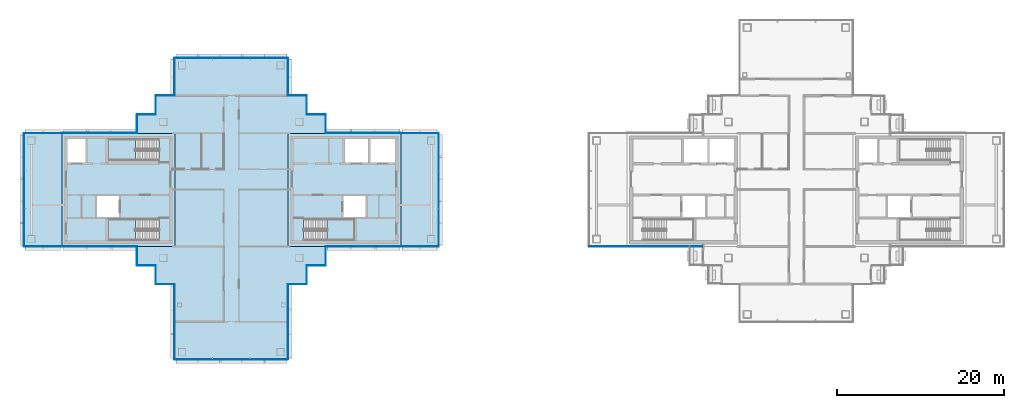
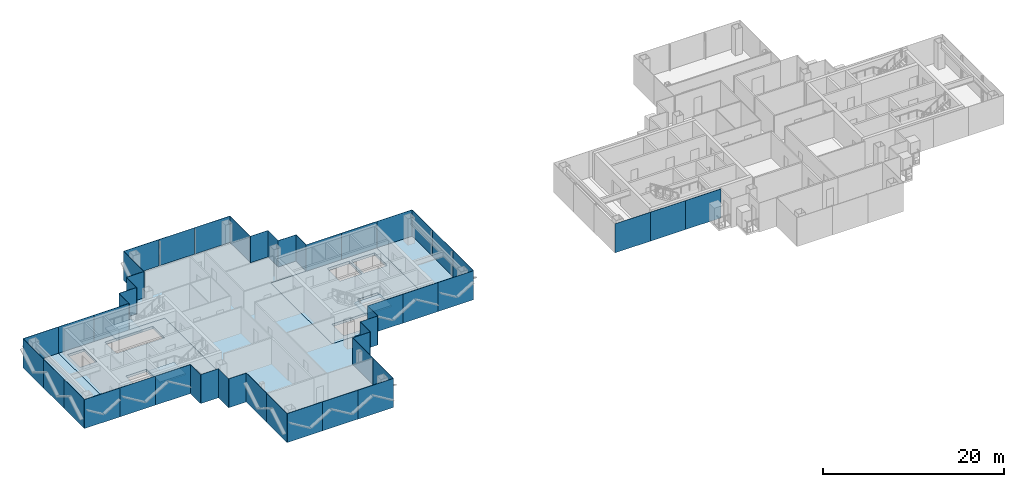
# One storey, part 7 of 17: 49 plates, 8 slabs, 25 elements without a shape of their own.
"""IFC4 building model written with IfcOpenShell, lengths in metres."""

from ifc_helpers import new_model, si_unit, direction, frame, origin, origin_2d, place, context, subcontext, project, spatial, polyline, rectangle, outline, extrude, material, layer, layer_set, type_object, element, aggregate, save


model = new_model("IFC4")

# Units and contexts
model_context = context("Model", 3, precision=1e-05, world=origin(), true_north=direction((0.0, 1.0)))
body_context = subcontext(model_context, "Body", "Model", "MODEL_VIEW")
ifc_project = project(units=[si_unit("LENGTHUNIT", "METRE"), si_unit("AREAUNIT", "SQUARE_METRE"), si_unit("VOLUMEUNIT", "CUBIC_METRE"), si_unit("PLANEANGLEUNIT", "RADIAN"), si_unit("MASSUNIT", "GRAM", prefix="KILO")], contexts=[model_context])

# Site, building, storey
site_placement = place(None, origin())
site = spatial("IfcSite", under=ifc_project, at=site_placement, CompositionType="ELEMENT")
building_placement = place(site_placement, origin())
building = spatial("IfcBuilding", under=site, at=building_placement, Name="Shamsa Quay Exchange Towers", CompositionType="ELEMENT")
storey_placement = place(building_placement, frame((0.0, 0.0, 238.199951171875)))
storey = spatial("IfcBuildingStorey", under=building, at=storey_placement, Name="L57", CompositionType="ELEMENT", Elevation=238.199951171875)

# Slabs
ifc_material_1 = material(Name="Concrete C50/60", Category="concrete")
ifc_layer_1 = layer(ifc_material_1, 0.35009765625)
ifc_layer_set_1 = layer_set([ifc_layer_1], Name="CORE FLOOR 350 C50/60")
slab_type_1 = type_object("IfcSlabType", Name="CORE FLOOR 350 C50/60", PredefinedType="FLOOR", material=ifc_layer_set_1)
slab_1_placement = place(storey_placement, frame((0.0, 0.0, -0.349853515625)))
element("IfcSlab", 1, at=slab_1_placement, inside=storey, type_object=slab_type_1, Name="Core floor T1A", PredefinedType="FLOOR", context=body_context, shape_type="SweptSolid", body=[
    extrude(outline(polyline([(-27.0, -6.75), (-13.5, -6.75), (-13.5, 6.75), (-27.0, 6.75), (-27.0, -6.75)]), holes=[polyline([(-25.099365234375, -6.050048828125), (-25.099365234375, -3.5), (-19.0, -3.5), (-19.0, -6.050048828125), (-25.099365234375, -6.050048828125)]), polyline([(-20.199951171875, 3.25), (-20.199951171875, 6.050048828125), (-17.39990234375, 6.050048828125), (-17.39990234375, 3.25), (-20.199951171875, 3.25)]), polyline([(-17.14990234375, 3.25), (-17.14990234375, 6.050048828125), (-14.199951171875, 6.050048828125), (-14.199951171875, 3.25), (-17.14990234375, 3.25)]), polyline([(-20.35009765625, -3.25), (-20.35009765625, -0.75), (-17.699951171875, -0.75), (-17.699951171875, -3.25), (-20.35009765625, -3.25)])]), origin(), (0.0, 0.0, 1.0), 0.349853515625),
])
slab_2_placement = place(storey_placement, frame((0.0, 0.0, -0.349853515625)))
element("IfcSlab", 2, at=slab_2_placement, inside=storey, type_object=slab_type_1, Name="Core floor T1B", PredefinedType="FLOOR", context=body_context, shape_type="SweptSolid", body=[
    extrude(outline(polyline([(-40.5, -6.75), (-40.5, 6.75), (-54.0, 6.75), (-54.0, -6.75), (-40.5, -6.75)]), holes=[polyline([(-42.400634765625, -3.5), (-42.400634765625, -6.050048828125), (-48.5, -6.050048828125), (-48.5, -3.5), (-42.400634765625, -3.5)]), polyline([(-42.400634765625, 6.050048828125), (-42.400634765625, 3.5), (-48.5, 3.5), (-48.5, 6.050048828125), (-42.400634765625, 6.050048828125)]), polyline([(-51.14990234375, 3.25), (-53.300048828125, 3.25), (-53.300048828125, 6.050048828125), (-51.14990234375, 6.050048828125), (-51.14990234375, 3.25)]), polyline([(-47.14990234375, -3.25), (-49.800048828125, -3.25), (-49.800048828125, -0.75), (-47.14990234375, -0.75), (-47.14990234375, -3.25)])]), origin(), (0.0, 0.0, 1.0), 0.349853515625),
])

# Stair, slab
ifc_material_2 = material(Name="Concrete C40/50", Category="concrete")
stair_type = type_object("IfcStairType", Name="EXIT STAIR 22 RISERS 177 MM", PredefinedType="HALF_TURN_STAIR", material=ifc_material_2)
stair_1_placement = place(storey_placement, origin())
stair_1 = element("IfcStair", 3, at=stair_1_placement, inside=storey, type_object=stair_type, Name="L57 Exit stair ST1", PredefinedType="HALF_TURN_STAIR")
ifc_layer_2 = layer(ifc_material_2, 0.199951171875)
ifc_layer_set_2 = layer_set([ifc_layer_2], Name="CORE STAIR LANDING")
slab_type_2 = type_object("IfcSlabType", Name="CORE STAIR LANDING", PredefinedType="LANDING", material=ifc_layer_set_2)
slab_3_placement = place(storey_placement, frame((0.0, 0.0, 1.75)))
slab_3 = element("IfcSlab", 4, at=slab_3_placement, type_object=slab_type_2, Name="ST1 landing 1", PredefinedType="LANDING", context=body_context, shape_type="SweptSolid", body=[
    extrude(outline(polyline([(-22.300048828125, -6.050048828125), (-19.0, -6.050048828125), (-19.0, -3.5), (-22.300048828125, -3.5), (-22.300048828125, -6.050048828125)])), origin(), (0.0, 0.0, 1.0), 0.199951171875),
])
aggregate(stair_1, [slab_3])

stair_2_placement = place(storey_placement, origin())
stair_2 = element("IfcStair", 5, at=stair_2_placement, inside=storey, type_object=stair_type, Name="L57 Exit stair ST2", PredefinedType="HALF_TURN_STAIR")
slab_4_placement = place(storey_placement, frame((0.0, 0.0, 1.75)))
slab_4 = element("IfcSlab", 6, at=slab_4_placement, type_object=slab_type_2, Name="ST2 landing 1", PredefinedType="LANDING", context=body_context, shape_type="SweptSolid", body=[
    extrude(outline(polyline([(-45.199951171875, -3.5), (-48.5, -3.5), (-48.5, -6.050048828125), (-45.199951171875, -6.050048828125), (-45.199951171875, -3.5)])), origin(), (0.0, 0.0, 1.0), 0.199951171875),
])
aggregate(stair_2, [slab_4])

stair_3_placement = place(storey_placement, origin())
stair_3 = element("IfcStair", 7, at=stair_3_placement, inside=storey, type_object=stair_type, Name="L57 Exit stair ST3", PredefinedType="HALF_TURN_STAIR")
slab_5_placement = place(storey_placement, frame((0.0, 0.0, 1.75)))
slab_5 = element("IfcSlab", 8, at=slab_5_placement, type_object=slab_type_2, Name="ST3 landing 1", PredefinedType="LANDING", context=body_context, shape_type="SweptSolid", body=[
    extrude(outline(polyline([(-45.199951171875, 6.050048828125), (-48.5, 6.050048828125), (-48.5, 3.5), (-45.199951171875, 3.5), (-45.199951171875, 6.050048828125)])), origin(), (0.0, 0.0, 1.0), 0.199951171875),
])
aggregate(stair_3, [slab_5])

# Curtain wall, plates
ifc_material_3 = material(Name="Aluminium EN AW-6063 T6, black anodised", Category="aluminium")
ifc_layer_3 = layer(ifc_material_3, 0.280029296875)
ifc_layer_set_3 = layer_set([ifc_layer_3], Name="CW-1 UNITISED VISION GLASS")
curtain_wall_type_1 = type_object("IfcCurtainWallType", Name="CW-1 UNITISED VISION GLASS", PredefinedType="NOTDEFINED", material=ifc_layer_set_3)
curtain_wall_1_placement = place(storey_placement, origin())
curtain_wall_1 = element("IfcCurtainWall", 9, at=curtain_wall_1_placement, inside=storey, type_object=curtain_wall_type_1, Name="CW1 T1-FLK-V-W L57", PredefinedType="NOTDEFINED")
ifc_material_4 = material(Name="Glass, laminated, dark tinted", Category="glass")
ifc_layer_4 = layer(ifc_material_4, 0.0400390625)
ifc_layer_set_4 = layer_set([ifc_layer_4], Name="CW-1 VISION GLASS 40")
plate_type_1 = type_object("IfcPlateType", Name="CW-1 VISION GLASS 40", PredefinedType="CURTAIN_PANEL", material=ifc_layer_set_4)
plate_1_placement = place(storey_placement, frame((-40.52001953125, -13.52587890625, -0.349853515625), z_axis=(0.0, 0.0, 1.0), x_axis=(0.0, -1.0, 0.0)))
plate_1 = element("IfcPlate", 10, at=plate_1_placement, type_object=plate_type_1, Name="CW1 glass panel", PredefinedType="CURTAIN_PANEL", context=body_context, shape_type="SweptSolid", body=[
    extrude(rectangle(XDim=4.47607421875, YDim=0.0400390625, at=origin_2d()), origin(), (0.0, 0.0, 1.0), 3.89990234375),
])
plate_2_placement = place(storey_placement, frame((-40.52001953125, -18.011962890625, -0.349853515625), z_axis=(0.0, 0.0, 1.0), x_axis=(0.0, -1.0, 0.0)))
plate_2 = element("IfcPlate", 11, at=plate_2_placement, type_object=plate_type_1, Name="CW1 glass panel", PredefinedType="CURTAIN_PANEL", context=body_context, shape_type="SweptSolid", body=[
    extrude(rectangle(XDim=4.47607421875, YDim=0.0400390625, at=origin_2d()), origin(), (0.0, 0.0, 1.0), 3.89990234375),
])
aggregate(curtain_wall_1, [plate_1, plate_2])

curtain_wall_2_placement = place(storey_placement, origin())
curtain_wall_2 = element("IfcCurtainWall", 12, at=curtain_wall_2_placement, inside=storey, type_object=curtain_wall_type_1, Name="CW1 T1-END-V- L57", PredefinedType="NOTDEFINED")
plate_3_placement = place(storey_placement, frame((-38.25244140625, -20.27001953125, -0.349853515625)))
plate_3 = element("IfcPlate", 13, at=plate_3_placement, type_object=plate_type_1, Name="CW1 glass panel", PredefinedType="CURTAIN_PANEL", context=body_context, shape_type="SweptSolid", body=[
    extrude(rectangle(XDim=4.4951171875, YDim=0.0400390625, at=origin_2d()), origin(), (0.0, 0.0, 1.0), 3.89990234375),
])
plate_4_placement = place(storey_placement, frame((-33.75, -20.27001953125, -0.349853515625)))
plate_4 = element("IfcPlate", 14, at=plate_4_placement, type_object=plate_type_1, Name="CW1 glass panel", PredefinedType="CURTAIN_PANEL", context=body_context, shape_type="SweptSolid", body=[
    extrude(rectangle(XDim=4.489990234375, YDim=0.0400390625, at=origin_2d()), origin(), (0.0, 0.0, 1.0), 3.89990234375),
])
plate_5_placement = place(storey_placement, frame((-29.24755859375, -20.27001953125, -0.349853515625)))
plate_5 = element("IfcPlate", 15, at=plate_5_placement, type_object=plate_type_1, Name="CW1 glass panel", PredefinedType="CURTAIN_PANEL", context=body_context, shape_type="SweptSolid", body=[
    extrude(rectangle(XDim=4.4951171875, YDim=0.0400390625, at=origin_2d()), origin(), (0.0, 0.0, 1.0), 3.89990234375),
])
aggregate(curtain_wall_2, [plate_3, plate_4, plate_5])

curtain_wall_3_placement = place(storey_placement, origin())
curtain_wall_3 = element("IfcCurtainWall", 16, at=curtain_wall_3_placement, inside=storey, type_object=curtain_wall_type_1, Name="CW1 T1-FLK-V-E L57", PredefinedType="NOTDEFINED")
plate_6_placement = place(storey_placement, frame((-26.97998046875, -18.00244140625, -0.349853515625), z_axis=(0.0, 0.0, 1.0), x_axis=(0.0, 1.0, 0.0)))
plate_6 = element("IfcPlate", 17, at=plate_6_placement, type_object=plate_type_1, Name="CW1 glass panel", PredefinedType="CURTAIN_PANEL", context=body_context, shape_type="SweptSolid", body=[
    extrude(rectangle(XDim=4.4951171875, YDim=0.0400390625, at=origin_2d()), origin(), (0.0, 0.0, 1.0), 3.89990234375),
])
plate_7_placement = place(storey_placement, frame((-26.97998046875, -13.49755859375, -0.349853515625), z_axis=(0.0, 0.0, 1.0), x_axis=(0.0, 1.0, 0.0)))
plate_7 = element("IfcPlate", 18, at=plate_7_placement, type_object=plate_type_1, Name="CW1 glass panel", PredefinedType="CURTAIN_PANEL", context=body_context, shape_type="SweptSolid", body=[
    extrude(rectangle(XDim=4.4951171875, YDim=0.0400390625, at=origin_2d()), origin(), (0.0, 0.0, 1.0), 3.89990234375),
])
aggregate(curtain_wall_3, [plate_6, plate_7])

# Curtain wall, plate
curtain_wall_4_placement = place(storey_placement, origin())
curtain_wall_4 = element("IfcCurtainWall", 19, at=curtain_wall_4_placement, inside=storey, type_object=curtain_wall_type_1, Name="CW1 T1-FLK-U+S L57", PredefinedType="NOTDEFINED")
plate_8_placement = place(storey_placement, frame((-11.25, -6.77001953125, -0.349853515625)))
plate_8 = element("IfcPlate", 20, at=plate_8_placement, type_object=plate_type_1, Name="CW1 glass panel", PredefinedType="CURTAIN_PANEL", context=body_context, shape_type="SweptSolid", body=[
    extrude(rectangle(XDim=4.5, YDim=0.0400390625, at=origin_2d()), origin(), (0.0, 0.0, 1.0), 3.89990234375),
])
aggregate(curtain_wall_4, [plate_8])

# Curtain wall, plates
curtain_wall_5_placement = place(storey_placement, origin())
curtain_wall_5 = element("IfcCurtainWall", 21, at=curtain_wall_5_placement, inside=storey, type_object=curtain_wall_type_1, Name="CW1 T1-END-U+ L57", PredefinedType="NOTDEFINED")
plate_9_placement = place(storey_placement, frame((-8.97998046875, -4.50244140625, -0.349853515625), z_axis=(0.0, 0.0, 1.0), x_axis=(0.0, 1.0, 0.0)))
plate_9 = element("IfcPlate", 22, at=plate_9_placement, type_object=plate_type_1, Name="CW1 glass panel", PredefinedType="CURTAIN_PANEL", context=body_context, shape_type="SweptSolid", body=[
    extrude(rectangle(XDim=4.4951171875, YDim=0.0400390625, at=origin_2d()), origin(), (0.0, 0.0, 1.0), 3.89990234375),
])
plate_10_placement = place(storey_placement, frame((-8.97998046875, 0.0, -0.349853515625), z_axis=(0.0, 0.0, 1.0), x_axis=(0.0, 1.0, 0.0)))
plate_10 = element("IfcPlate", 23, at=plate_10_placement, type_object=plate_type_1, Name="CW1 glass panel", PredefinedType="CURTAIN_PANEL", context=body_context, shape_type="SweptSolid", body=[
    extrude(rectangle(XDim=4.489990234375, YDim=0.0400390625, at=origin_2d()), origin(), (0.0, 0.0, 1.0), 3.89990234375),
])
plate_11_placement = place(storey_placement, frame((-8.97998046875, 4.50244140625, -0.349853515625), z_axis=(0.0, 0.0, 1.0), x_axis=(0.0, 1.0, 0.0)))
plate_11 = element("IfcPlate", 24, at=plate_11_placement, type_object=plate_type_1, Name="CW1 glass panel", PredefinedType="CURTAIN_PANEL", context=body_context, shape_type="SweptSolid", body=[
    extrude(rectangle(XDim=4.4951171875, YDim=0.0400390625, at=origin_2d()), origin(), (0.0, 0.0, 1.0), 3.89990234375),
])
aggregate(curtain_wall_5, [plate_9, plate_10, plate_11])

# Curtain wall, plate
curtain_wall_6_placement = place(storey_placement, origin())
curtain_wall_6 = element("IfcCurtainWall", 25, at=curtain_wall_6_placement, inside=storey, type_object=curtain_wall_type_1, Name="CW1 T1-FLK-U+N L57", PredefinedType="NOTDEFINED")
plate_12_placement = place(storey_placement, frame((-11.25, 6.77001953125, -0.349853515625), z_axis=(0.0, 0.0, 1.0), x_axis=(-1.0, 0.0, 0.0)))
plate_12 = element("IfcPlate", 26, at=plate_12_placement, type_object=plate_type_1, Name="CW1 glass panel", PredefinedType="CURTAIN_PANEL", context=body_context, shape_type="SweptSolid", body=[
    extrude(rectangle(XDim=4.5, YDim=0.0400390625, at=origin_2d()), origin(), (0.0, 0.0, 1.0), 3.89990234375),
])
aggregate(curtain_wall_6, [plate_12])

curtain_wall_7_placement = place(storey_placement, origin())
curtain_wall_7 = element("IfcCurtainWall", 27, at=curtain_wall_7_placement, inside=storey, type_object=curtain_wall_type_1, Name="CW1 T1-FLK-V+E L57", PredefinedType="NOTDEFINED")
plate_13_placement = place(storey_placement, frame((-26.97998046875, 13.51904296875, -0.349853515625), z_axis=(0.0, 0.0, 1.0), x_axis=(0.0, 1.0, 0.0)))
plate_13 = element("IfcPlate", 28, at=plate_13_placement, type_object=plate_type_1, Name="CW1 glass panel", PredefinedType="CURTAIN_PANEL", context=body_context, shape_type="SweptSolid", body=[
    extrude(rectangle(XDim=4.4619140625, YDim=0.0400390625, at=origin_2d()), origin(), (0.0, 0.0, 1.0), 3.89990234375),
])
aggregate(curtain_wall_7, [plate_13])

# Curtain wall, plates
curtain_wall_8_placement = place(storey_placement, origin())
curtain_wall_8 = element("IfcCurtainWall", 29, at=curtain_wall_8_placement, inside=storey, type_object=curtain_wall_type_1, Name="CW1 T1-END-V+ L57", PredefinedType="NOTDEFINED")
plate_14_placement = place(storey_placement, frame((-29.24755859375, 15.77001953125, -0.349853515625), z_axis=(0.0, 0.0, 1.0), x_axis=(-1.0, 0.0, 0.0)))
plate_14 = element("IfcPlate", 30, at=plate_14_placement, type_object=plate_type_1, Name="CW1 glass panel", PredefinedType="CURTAIN_PANEL", context=body_context, shape_type="SweptSolid", body=[
    extrude(rectangle(XDim=4.4951171875, YDim=0.0400390625, at=origin_2d()), origin(), (0.0, 0.0, 1.0), 3.89990234375),
])
plate_15_placement = place(storey_placement, frame((-33.75, 15.77001953125, -0.349853515625), z_axis=(0.0, 0.0, 1.0), x_axis=(-1.0, 0.0, 0.0)))
plate_15 = element("IfcPlate", 31, at=plate_15_placement, type_object=plate_type_1, Name="CW1 glass panel", PredefinedType="CURTAIN_PANEL", context=body_context, shape_type="SweptSolid", body=[
    extrude(rectangle(XDim=4.489990234375, YDim=0.0400390625, at=origin_2d()), origin(), (0.0, 0.0, 1.0), 3.89990234375),
])
plate_16_placement = place(storey_placement, frame((-38.25244140625, 15.77001953125, -0.349853515625), z_axis=(0.0, 0.0, 1.0), x_axis=(-1.0, 0.0, 0.0)))
plate_16 = element("IfcPlate", 32, at=plate_16_placement, type_object=plate_type_1, Name="CW1 glass panel", PredefinedType="CURTAIN_PANEL", context=body_context, shape_type="SweptSolid", body=[
    extrude(rectangle(XDim=4.4951171875, YDim=0.0400390625, at=origin_2d()), origin(), (0.0, 0.0, 1.0), 3.89990234375),
])
aggregate(curtain_wall_8, [plate_14, plate_15, plate_16])

# Curtain wall, plate
curtain_wall_9_placement = place(storey_placement, origin())
curtain_wall_9 = element("IfcCurtainWall", 33, at=curtain_wall_9_placement, inside=storey, type_object=curtain_wall_type_1, Name="CW1 T1-FLK-V+W L57", PredefinedType="NOTDEFINED")
plate_17_placement = place(storey_placement, frame((-40.52001953125, 13.5, -0.349853515625), z_axis=(0.0, 0.0, 1.0), x_axis=(0.0, -1.0, 0.0)))
plate_17 = element("IfcPlate", 34, at=plate_17_placement, type_object=plate_type_1, Name="CW1 glass panel", PredefinedType="CURTAIN_PANEL", context=body_context, shape_type="SweptSolid", body=[
    extrude(rectangle(XDim=4.5, YDim=0.0400390625, at=origin_2d()), origin(), (0.0, 0.0, 1.0), 3.89990234375),
])
aggregate(curtain_wall_9, [plate_17])

curtain_wall_10_placement = place(storey_placement, origin())
curtain_wall_10 = element("IfcCurtainWall", 35, at=curtain_wall_10_placement, inside=storey, type_object=curtain_wall_type_1, Name="CW1 T1-FLK-U-N L57", PredefinedType="NOTDEFINED")
plate_18_placement = place(storey_placement, frame((-56.25, 6.77001953125, -0.349853515625), z_axis=(0.0, 0.0, 1.0), x_axis=(-1.0, 0.0, 0.0)))
plate_18 = element("IfcPlate", 36, at=plate_18_placement, type_object=plate_type_1, Name="CW1 glass panel", PredefinedType="CURTAIN_PANEL", context=body_context, shape_type="SweptSolid", body=[
    extrude(rectangle(XDim=4.5, YDim=0.0400390625, at=origin_2d()), origin(), (0.0, 0.0, 1.0), 3.89990234375),
])
aggregate(curtain_wall_10, [plate_18])

# Curtain wall, plates
curtain_wall_11_placement = place(storey_placement, origin())
curtain_wall_11 = element("IfcCurtainWall", 37, at=curtain_wall_11_placement, inside=storey, type_object=curtain_wall_type_1, Name="CW1 T1-END-U- L57", PredefinedType="NOTDEFINED")
plate_19_placement = place(storey_placement, frame((-58.52001953125, 4.50244140625, -0.349853515625), z_axis=(0.0, 0.0, 1.0), x_axis=(0.0, -1.0, 0.0)))
plate_19 = element("IfcPlate", 38, at=plate_19_placement, type_object=plate_type_1, Name="CW1 glass panel", PredefinedType="CURTAIN_PANEL", context=body_context, shape_type="SweptSolid", body=[
    extrude(rectangle(XDim=4.4951171875, YDim=0.0400390625, at=origin_2d()), origin(), (0.0, 0.0, 1.0), 3.89990234375),
])
plate_20_placement = place(storey_placement, frame((-58.52001953125, 0.0, -0.349853515625), z_axis=(0.0, 0.0, 1.0), x_axis=(0.0, -1.0, 0.0)))
plate_20 = element("IfcPlate", 39, at=plate_20_placement, type_object=plate_type_1, Name="CW1 glass panel", PredefinedType="CURTAIN_PANEL", context=body_context, shape_type="SweptSolid", body=[
    extrude(rectangle(XDim=4.489990234375, YDim=0.0400390625, at=origin_2d()), origin(), (0.0, 0.0, 1.0), 3.89990234375),
])
plate_21_placement = place(storey_placement, frame((-58.52001953125, -4.50244140625, -0.349853515625), z_axis=(0.0, 0.0, 1.0), x_axis=(0.0, -1.0, 0.0)))
plate_21 = element("IfcPlate", 40, at=plate_21_placement, type_object=plate_type_1, Name="CW1 glass panel", PredefinedType="CURTAIN_PANEL", context=body_context, shape_type="SweptSolid", body=[
    extrude(rectangle(XDim=4.4951171875, YDim=0.0400390625, at=origin_2d()), origin(), (0.0, 0.0, 1.0), 3.89990234375),
])
aggregate(curtain_wall_11, [plate_19, plate_20, plate_21])

# Curtain wall, plate
curtain_wall_12_placement = place(storey_placement, origin())
curtain_wall_12 = element("IfcCurtainWall", 41, at=curtain_wall_12_placement, inside=storey, type_object=curtain_wall_type_1, Name="CW1 T1-FLK-U-S L57", PredefinedType="NOTDEFINED")
plate_22_placement = place(storey_placement, frame((-56.25, -6.77001953125, -0.349853515625)))
plate_22 = element("IfcPlate", 42, at=plate_22_placement, type_object=plate_type_1, Name="CW1 glass panel", PredefinedType="CURTAIN_PANEL", context=body_context, shape_type="SweptSolid", body=[
    extrude(rectangle(XDim=4.5, YDim=0.0400390625, at=origin_2d()), origin(), (0.0, 0.0, 1.0), 3.89990234375),
])
aggregate(curtain_wall_12, [plate_22])

curtain_wall_13_placement = place(storey_placement, origin())
curtain_wall_13 = element("IfcCurtainWall", 43, at=curtain_wall_13_placement, inside=storey, type_object=curtain_wall_type_1, Name="CW1 T2-FLK-V+W L57", PredefinedType="NOTDEFINED")
plate_23_placement = place(storey_placement, frame((11.25, -6.77001953125, -0.349853515625)))
plate_23 = element("IfcPlate", 44, at=plate_23_placement, type_object=plate_type_1, Name="CW1 glass panel", PredefinedType="CURTAIN_PANEL", context=body_context, shape_type="SweptSolid", body=[
    extrude(rectangle(XDim=4.5, YDim=0.0400390625, at=origin_2d()), origin(), (0.0, 0.0, 1.0), 3.89990234375),
])
aggregate(curtain_wall_13, [plate_23])

# Curtain wall, plates
ifc_layer_5 = layer(ifc_material_3, 0.303955078125)
ifc_layer_set_5 = layer_set([ifc_layer_5], Name="CW-2 UNITISED OPAQUE SPANDREL GLASS")
curtain_wall_type_2 = type_object("IfcCurtainWallType", Name="CW-2 UNITISED OPAQUE SPANDREL GLASS", PredefinedType="NOTDEFINED", material=ifc_layer_set_5)
curtain_wall_14_placement = place(storey_placement, origin())
curtain_wall_14 = element("IfcCurtainWall", 45, at=curtain_wall_14_placement, inside=storey, type_object=curtain_wall_type_2, Name="CW2 T1-FLK-U+S L57", PredefinedType="NOTDEFINED")
ifc_material_5 = material(Name="Glass, laminated, black enamelled opaque", Category="glass")
ifc_layer_6 = layer(ifc_material_5, 0.0439453125)
ifc_layer_set_6 = layer_set([ifc_layer_6], Name="CW-2 SPANDREL GLASS 44")
plate_type_2 = type_object("IfcPlateType", Name="CW-2 SPANDREL GLASS 44", PredefinedType="CURTAIN_PANEL", material=ifc_layer_set_6)
plate_24_placement = place(storey_placement, frame((-20.22412109375, -6.77197265625, -0.349853515625)))
plate_24 = element("IfcPlate", 46, at=plate_24_placement, type_object=plate_type_2, Name="CW2 glass panel", PredefinedType="CURTAIN_PANEL", context=body_context, shape_type="SweptSolid", body=[
    extrude(rectangle(XDim=4.47607421875, YDim=0.0439453125, at=origin_2d()), origin(), (0.0, 0.0, 1.0), 3.89990234375),
])
plate_25_placement = place(storey_placement, frame((-15.738037109375, -6.77197265625, -0.349853515625)))
plate_25 = element("IfcPlate", 47, at=plate_25_placement, type_object=plate_type_2, Name="CW2 glass panel", PredefinedType="CURTAIN_PANEL", context=body_context, shape_type="SweptSolid", body=[
    extrude(rectangle(XDim=4.47607421875, YDim=0.0439453125, at=origin_2d()), origin(), (0.0, 0.0, 1.0), 3.89990234375),
])
aggregate(curtain_wall_14, [plate_24, plate_25])

curtain_wall_15_placement = place(storey_placement, origin())
curtain_wall_15 = element("IfcCurtainWall", 48, at=curtain_wall_15_placement, inside=storey, type_object=curtain_wall_type_2, Name="CW2 T1-FLK-U+N L57", PredefinedType="NOTDEFINED")
plate_26_placement = place(storey_placement, frame((-15.74755859375, 6.77197265625, -0.349853515625), z_axis=(0.0, 0.0, 1.0), x_axis=(-1.0, 0.0, 0.0)))
plate_26 = element("IfcPlate", 49, at=plate_26_placement, type_object=plate_type_2, Name="CW2 glass panel", PredefinedType="CURTAIN_PANEL", context=body_context, shape_type="SweptSolid", body=[
    extrude(rectangle(XDim=4.4951171875, YDim=0.0439453125, at=origin_2d()), origin(), (0.0, 0.0, 1.0), 3.89990234375),
])
plate_27_placement = place(storey_placement, frame((-20.25244140625, 6.77197265625, -0.349853515625), z_axis=(0.0, 0.0, 1.0), x_axis=(-1.0, 0.0, 0.0)))
plate_27 = element("IfcPlate", 50, at=plate_27_placement, type_object=plate_type_2, Name="CW2 glass panel", PredefinedType="CURTAIN_PANEL", context=body_context, shape_type="SweptSolid", body=[
    extrude(rectangle(XDim=4.4951171875, YDim=0.0439453125, at=origin_2d()), origin(), (0.0, 0.0, 1.0), 3.89990234375),
])
aggregate(curtain_wall_15, [plate_26, plate_27])

curtain_wall_16_placement = place(storey_placement, origin())
curtain_wall_16 = element("IfcCurtainWall", 51, at=curtain_wall_16_placement, inside=storey, type_object=curtain_wall_type_2, Name="CW2 T1-FLK-U-N L57", PredefinedType="NOTDEFINED")
plate_28_placement = place(storey_placement, frame((-47.27587890625, 6.77197265625, -0.349853515625), z_axis=(0.0, 0.0, 1.0), x_axis=(-1.0, 0.0, 0.0)))
plate_28 = element("IfcPlate", 52, at=plate_28_placement, type_object=plate_type_2, Name="CW2 glass panel", PredefinedType="CURTAIN_PANEL", context=body_context, shape_type="SweptSolid", body=[
    extrude(rectangle(XDim=4.47607421875, YDim=0.0439453125, at=origin_2d()), origin(), (0.0, 0.0, 1.0), 3.89990234375),
])
plate_29_placement = place(storey_placement, frame((-51.761962890625, 6.77197265625, -0.349853515625), z_axis=(0.0, 0.0, 1.0), x_axis=(-1.0, 0.0, 0.0)))
plate_29 = element("IfcPlate", 53, at=plate_29_placement, type_object=plate_type_2, Name="CW2 glass panel", PredefinedType="CURTAIN_PANEL", context=body_context, shape_type="SweptSolid", body=[
    extrude(rectangle(XDim=4.47607421875, YDim=0.0439453125, at=origin_2d()), origin(), (0.0, 0.0, 1.0), 3.89990234375),
])
aggregate(curtain_wall_16, [plate_28, plate_29])

curtain_wall_17_placement = place(storey_placement, origin())
curtain_wall_17 = element("IfcCurtainWall", 54, at=curtain_wall_17_placement, inside=storey, type_object=curtain_wall_type_2, Name="CW2 T1-FLK-U-S L57", PredefinedType="NOTDEFINED")
plate_30_placement = place(storey_placement, frame((-51.75244140625, -6.77197265625, -0.349853515625)))
plate_30 = element("IfcPlate", 55, at=plate_30_placement, type_object=plate_type_2, Name="CW2 glass panel", PredefinedType="CURTAIN_PANEL", context=body_context, shape_type="SweptSolid", body=[
    extrude(rectangle(XDim=4.4951171875, YDim=0.0439453125, at=origin_2d()), origin(), (0.0, 0.0, 1.0), 3.89990234375),
])
plate_31_placement = place(storey_placement, frame((-47.24755859375, -6.77197265625, -0.349853515625)))
plate_31 = element("IfcPlate", 56, at=plate_31_placement, type_object=plate_type_2, Name="CW2 glass panel", PredefinedType="CURTAIN_PANEL", context=body_context, shape_type="SweptSolid", body=[
    extrude(rectangle(XDim=4.4951171875, YDim=0.0439453125, at=origin_2d()), origin(), (0.0, 0.0, 1.0), 3.89990234375),
])
aggregate(curtain_wall_17, [plate_30, plate_31])

curtain_wall_18_placement = place(storey_placement, origin())
curtain_wall_18 = element("IfcCurtainWall", 57, at=curtain_wall_18_placement, inside=storey, type_object=curtain_wall_type_2, Name="CW2 T2-FLK-V+W L57", PredefinedType="NOTDEFINED")
plate_32_placement = place(storey_placement, frame((15.74755859375, -6.77197265625, -0.349853515625)))
plate_32 = element("IfcPlate", 58, at=plate_32_placement, type_object=plate_type_2, Name="CW2 glass panel", PredefinedType="CURTAIN_PANEL", context=body_context, shape_type="SweptSolid", body=[
    extrude(rectangle(XDim=4.4951171875, YDim=0.0439453125, at=origin_2d()), origin(), (0.0, 0.0, 1.0), 3.89990234375),
])
plate_33_placement = place(storey_placement, frame((20.25244140625, -6.77197265625, -0.349853515625)))
plate_33 = element("IfcPlate", 59, at=plate_33_placement, type_object=plate_type_2, Name="CW2 glass panel", PredefinedType="CURTAIN_PANEL", context=body_context, shape_type="SweptSolid", body=[
    extrude(rectangle(XDim=4.4951171875, YDim=0.0439453125, at=origin_2d()), origin(), (0.0, 0.0, 1.0), 3.89990234375),
])
aggregate(curtain_wall_18, [plate_32, plate_33])

ifc_layer_7 = layer(ifc_material_3, 0.256103515625)
ifc_layer_set_7 = layer_set([ifc_layer_7], Name="CW-4 POCKET SERRATED GLAZING")
curtain_wall_type_3 = type_object("IfcCurtainWallType", Name="CW-4 POCKET SERRATED GLAZING", PredefinedType="NOTDEFINED", material=ifc_layer_set_7)
curtain_wall_19_placement = place(storey_placement, origin())
curtain_wall_19 = element("IfcCurtainWall", 60, at=curtain_wall_19_placement, inside=storey, type_object=curtain_wall_type_3, Name="CW4 PKWS L57", PredefinedType="NOTDEFINED")
ifc_layer_8 = layer(ifc_material_4, 0.035888671875)
ifc_layer_set_8 = layer_set([ifc_layer_8], Name="CW-4 POCKET GLASS 36")
plate_type_3 = type_object("IfcPlateType", Name="CW-4 POCKET GLASS 36", PredefinedType="CURTAIN_PANEL", material=ifc_layer_set_8)
plate_34_placement = place(storey_placement, frame((-42.76806640625, -10.14404296875, -0.349853515625), z_axis=(0.0, 0.0, 1.0), x_axis=(0.0, -1.0, 0.0)))
plate_34 = element("IfcPlate", 61, at=plate_34_placement, type_object=plate_type_3, Name="CW4 glass panel", PredefinedType="CURTAIN_PANEL", context=body_context, shape_type="SweptSolid", body=[
    extrude(rectangle(XDim=2.2119140625, YDim=0.035888671875, at=origin_2d()), origin(), (0.0, 0.0, 1.0), 3.89990234375),
])
plate_35_placement = place(storey_placement, frame((-41.625, -11.26806640625, -0.349853515625)))
plate_35 = element("IfcPlate", 62, at=plate_35_placement, type_object=plate_type_3, Name="CW4 glass panel", PredefinedType="CURTAIN_PANEL", context=body_context, shape_type="SweptSolid", body=[
    extrude(rectangle(XDim=2.25, YDim=0.035888671875, at=origin_2d()), origin(), (0.0, 0.0, 1.0), 3.89990234375),
])
plate_36_placement = place(storey_placement, frame((-45.01806640625, -7.89794921875, -0.349853515625), z_axis=(0.0, 0.0, 1.0), x_axis=(0.0, -1.0, 0.0)))
plate_36 = element("IfcPlate", 63, at=plate_36_placement, type_object=plate_type_3, Name="CW4 glass panel", PredefinedType="CURTAIN_PANEL", context=body_context, shape_type="SweptSolid", body=[
    extrude(rectangle(XDim=2.2041015625, YDim=0.035888671875, at=origin_2d()), origin(), (0.0, 0.0, 1.0), 3.89990234375),
])
plate_37_placement = place(storey_placement, frame((-43.875, -9.01806640625, -0.349853515625)))
plate_37 = element("IfcPlate", 64, at=plate_37_placement, type_object=plate_type_3, Name="CW4 glass panel", PredefinedType="CURTAIN_PANEL", context=body_context, shape_type="SweptSolid", body=[
    extrude(rectangle(XDim=2.25, YDim=0.035888671875, at=origin_2d()), origin(), (0.0, 0.0, 1.0), 3.89990234375),
])
aggregate(curtain_wall_19, [plate_34, plate_35, plate_36, plate_37])

curtain_wall_20_placement = place(storey_placement, origin())
curtain_wall_20 = element("IfcCurtainWall", 65, at=curtain_wall_20_placement, inside=storey, type_object=curtain_wall_type_3, Name="CW4 PKES L57", PredefinedType="NOTDEFINED")
plate_38_placement = place(storey_placement, frame((-25.85400390625, -11.26806640625, -0.349853515625)))
plate_38 = element("IfcPlate", 66, at=plate_38_placement, type_object=plate_type_3, Name="CW4 glass panel", PredefinedType="CURTAIN_PANEL", context=body_context, shape_type="SweptSolid", body=[
    extrude(rectangle(XDim=2.2080078125, YDim=0.035888671875, at=origin_2d()), origin(), (0.0, 0.0, 1.0), 3.89990234375),
])
plate_39_placement = place(storey_placement, frame((-24.73193359375, -10.125, -0.349853515625), z_axis=(0.0, 0.0, 1.0), x_axis=(0.0, 1.0, 0.0)))
plate_39 = element("IfcPlate", 67, at=plate_39_placement, type_object=plate_type_3, Name="CW4 glass panel", PredefinedType="CURTAIN_PANEL", context=body_context, shape_type="SweptSolid", body=[
    extrude(rectangle(XDim=2.25, YDim=0.035888671875, at=origin_2d()), origin(), (0.0, 0.0, 1.0), 3.89990234375),
])
plate_40_placement = place(storey_placement, frame((-23.60595703125, -9.01806640625, -0.349853515625)))
plate_40 = element("IfcPlate", 68, at=plate_40_placement, type_object=plate_type_3, Name="CW4 glass panel", PredefinedType="CURTAIN_PANEL", context=body_context, shape_type="SweptSolid", body=[
    extrude(rectangle(XDim=2.2119140625, YDim=0.035888671875, at=origin_2d()), origin(), (0.0, 0.0, 1.0), 3.89990234375),
])
plate_41_placement = place(storey_placement, frame((-22.48193359375, -7.875, -0.349853515625), z_axis=(0.0, 0.0, 1.0), x_axis=(0.0, 1.0, 0.0)))
plate_41 = element("IfcPlate", 69, at=plate_41_placement, type_object=plate_type_3, Name="CW4 glass panel", PredefinedType="CURTAIN_PANEL", context=body_context, shape_type="SweptSolid", body=[
    extrude(rectangle(XDim=2.25, YDim=0.035888671875, at=origin_2d()), origin(), (0.0, 0.0, 1.0), 3.89990234375),
])
aggregate(curtain_wall_20, [plate_38, plate_39, plate_40, plate_41])

curtain_wall_21_placement = place(storey_placement, origin())
curtain_wall_21 = element("IfcCurtainWall", 70, at=curtain_wall_21_placement, inside=storey, type_object=curtain_wall_type_3, Name="CW4 PKEN L57", PredefinedType="NOTDEFINED")
plate_42_placement = place(storey_placement, frame((-22.48193359375, 7.89794921875, -0.349853515625), z_axis=(0.0, 0.0, 1.0), x_axis=(0.0, 1.0, 0.0)))
plate_42 = element("IfcPlate", 71, at=plate_42_placement, type_object=plate_type_3, Name="CW4 glass panel", PredefinedType="CURTAIN_PANEL", context=body_context, shape_type="SweptSolid", body=[
    extrude(rectangle(XDim=2.2041015625, YDim=0.035888671875, at=origin_2d()), origin(), (0.0, 0.0, 1.0), 3.89990234375),
])
plate_43_placement = place(storey_placement, frame((-23.625, 9.01806640625, -0.349853515625), z_axis=(0.0, 0.0, 1.0), x_axis=(-1.0, 0.0, 0.0)))
plate_43 = element("IfcPlate", 72, at=plate_43_placement, type_object=plate_type_3, Name="CW4 glass panel", PredefinedType="CURTAIN_PANEL", context=body_context, shape_type="SweptSolid", body=[
    extrude(rectangle(XDim=2.25, YDim=0.035888671875, at=origin_2d()), origin(), (0.0, 0.0, 1.0), 3.89990234375),
])
plate_44_placement = place(storey_placement, frame((-24.73193359375, 10.14404296875, -0.349853515625), z_axis=(0.0, 0.0, 1.0), x_axis=(0.0, 1.0, 0.0)))
plate_44 = element("IfcPlate", 73, at=plate_44_placement, type_object=plate_type_3, Name="CW4 glass panel", PredefinedType="CURTAIN_PANEL", context=body_context, shape_type="SweptSolid", body=[
    extrude(rectangle(XDim=2.2119140625, YDim=0.035888671875, at=origin_2d()), origin(), (0.0, 0.0, 1.0), 3.89990234375),
])
plate_45_placement = place(storey_placement, frame((-25.875, 11.26806640625, -0.349853515625), z_axis=(0.0, 0.0, 1.0), x_axis=(-1.0, 0.0, 0.0)))
plate_45 = element("IfcPlate", 74, at=plate_45_placement, type_object=plate_type_3, Name="CW4 glass panel", PredefinedType="CURTAIN_PANEL", context=body_context, shape_type="SweptSolid", body=[
    extrude(rectangle(XDim=2.25, YDim=0.035888671875, at=origin_2d()), origin(), (0.0, 0.0, 1.0), 3.89990234375),
])
aggregate(curtain_wall_21, [plate_42, plate_43, plate_44, plate_45])

curtain_wall_22_placement = place(storey_placement, origin())
curtain_wall_22 = element("IfcCurtainWall", 75, at=curtain_wall_22_placement, inside=storey, type_object=curtain_wall_type_3, Name="CW4 PKWN L57", PredefinedType="NOTDEFINED")
plate_46_placement = place(storey_placement, frame((-41.64599609375, 11.26806640625, -0.349853515625), z_axis=(0.0, 0.0, 1.0), x_axis=(-1.0, 0.0, 0.0)))
plate_46 = element("IfcPlate", 76, at=plate_46_placement, type_object=plate_type_3, Name="CW4 glass panel", PredefinedType="CURTAIN_PANEL", context=body_context, shape_type="SweptSolid", body=[
    extrude(rectangle(XDim=2.2080078125, YDim=0.035888671875, at=origin_2d()), origin(), (0.0, 0.0, 1.0), 3.89990234375),
])
plate_47_placement = place(storey_placement, frame((-42.76806640625, 10.125, -0.349853515625), z_axis=(0.0, 0.0, 1.0), x_axis=(0.0, -1.0, 0.0)))
plate_47 = element("IfcPlate", 77, at=plate_47_placement, type_object=plate_type_3, Name="CW4 glass panel", PredefinedType="CURTAIN_PANEL", context=body_context, shape_type="SweptSolid", body=[
    extrude(rectangle(XDim=2.25, YDim=0.035888671875, at=origin_2d()), origin(), (0.0, 0.0, 1.0), 3.89990234375),
])
plate_48_placement = place(storey_placement, frame((-43.89404296875, 9.01806640625, -0.349853515625), z_axis=(0.0, 0.0, 1.0), x_axis=(-1.0, 0.0, 0.0)))
plate_48 = element("IfcPlate", 78, at=plate_48_placement, type_object=plate_type_3, Name="CW4 glass panel", PredefinedType="CURTAIN_PANEL", context=body_context, shape_type="SweptSolid", body=[
    extrude(rectangle(XDim=2.2119140625, YDim=0.035888671875, at=origin_2d()), origin(), (0.0, 0.0, 1.0), 3.89990234375),
])
plate_49_placement = place(storey_placement, frame((-45.01806640625, 7.875, -0.349853515625), z_axis=(0.0, 0.0, 1.0), x_axis=(0.0, -1.0, 0.0)))
plate_49 = element("IfcPlate", 79, at=plate_49_placement, type_object=plate_type_3, Name="CW4 glass panel", PredefinedType="CURTAIN_PANEL", context=body_context, shape_type="SweptSolid", body=[
    extrude(rectangle(XDim=2.25, YDim=0.035888671875, at=origin_2d()), origin(), (0.0, 0.0, 1.0), 3.89990234375),
])
aggregate(curtain_wall_22, [plate_46, plate_47, plate_48, plate_49])

# Slabs
ifc_layer_9 = layer(ifc_material_2, 0.35009765625)
ifc_layer_set_9 = layer_set([ifc_layer_9], Name="Flat slab 350")
slab_type_3 = type_object("IfcSlabType", Name="Flat slab 350", PredefinedType="FLOOR", material=ifc_layer_set_9)
slab_6_placement = place(storey_placement, frame((0.0, 0.0, -0.349853515625)))
element("IfcSlab", 80, at=slab_6_placement, inside=storey, type_object=slab_type_3, Name="Flat slab T1 L57 1", PredefinedType="FLOOR", context=body_context, shape_type="SweptSolid", body=[
    extrude(outline(polyline([(-58.5, -6.75), (-54.0, -6.75), (-54.0, 6.75), (-58.5, 6.75), (-58.5, -6.75)])), origin(), (0.0, 0.0, 1.0), 0.349853515625),
])
slab_7_placement = place(storey_placement, frame((0.0, 0.0, -0.349853515625)))
element("IfcSlab", 81, at=slab_7_placement, inside=storey, type_object=slab_type_3, Name="Flat slab T1 L57 2", PredefinedType="FLOOR", context=body_context, shape_type="SweptSolid", body=[
    extrude(outline(polyline([(-22.5, -9.0), (-22.5, -6.75), (-27.0, -6.75), (-27.0, 6.75), (-22.5, 6.75), (-22.5, 9.0), (-24.75, 9.0), (-24.75, 11.25), (-27.0, 11.25), (-27.0, 15.75), (-40.5, 15.75), (-40.5, 11.25), (-42.75, 11.25), (-42.75, 9.0), (-45.0, 9.0), (-45.0, 6.75), (-40.5, 6.75), (-40.5, -6.75), (-45.0, -6.75), (-45.0, -9.0), (-42.75, -9.0), (-42.75, -11.25), (-40.5, -11.25), (-40.5, -20.25), (-27.0, -20.25), (-27.0, -11.25), (-24.75, -11.25), (-24.75, -9.0), (-22.5, -9.0)])), origin(), (0.0, 0.0, 1.0), 0.349853515625),
])
slab_8_placement = place(storey_placement, frame((0.0, 0.0, -0.349853515625)))
element("IfcSlab", 82, at=slab_8_placement, inside=storey, type_object=slab_type_3, Name="Flat slab T1 L57 3", PredefinedType="FLOOR", context=body_context, shape_type="SweptSolid", body=[
    extrude(outline(polyline([(-9.0, 6.75), (-13.5, 6.75), (-13.5, -6.75), (-9.0, -6.75), (-9.0, 6.75)])), origin(), (0.0, 0.0, 1.0), 0.349853515625),
])

save(model, "model.ifc")
